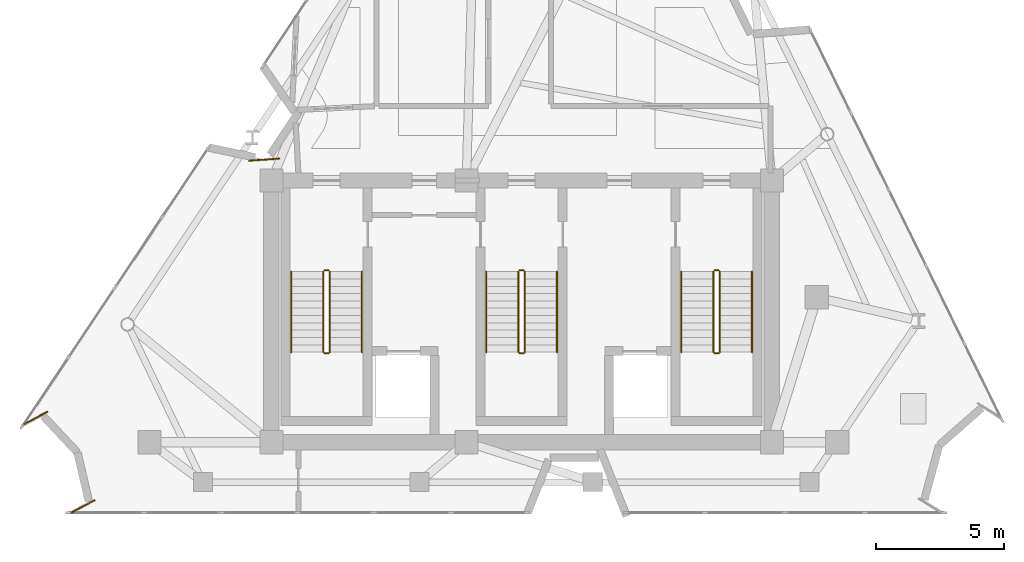
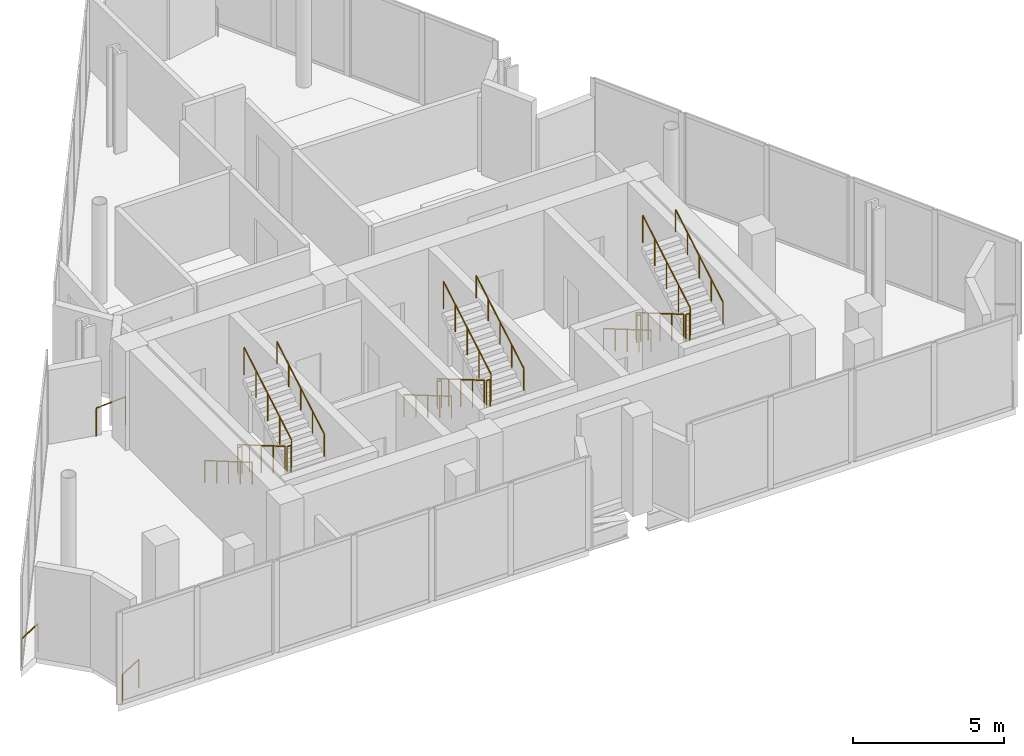
# One storey, part 8 of 9: 21 railings.
"""IFC4 building model written with IfcOpenShell, lengths in metres."""

from ifc_helpers import new_model, si_unit, direction, frame, origin, origin_2d, place, context, subcontext, project, spatial, circle, extrude, material, type_object, element, save


model = new_model("IFC4")

# Units and contexts
model_context = context("Model", 3, precision=1e-05, world=origin(), true_north=direction((0.0, 1.0)))
body_context = subcontext(model_context, "Body", "Model", "MODEL_VIEW")
ifc_project = project(units=[si_unit("LENGTHUNIT", "METRE"), si_unit("AREAUNIT", "SQUARE_METRE"), si_unit("VOLUMEUNIT", "CUBIC_METRE"), si_unit("PLANEANGLEUNIT", "RADIAN"), si_unit("MASSUNIT", "GRAM", prefix="KILO")], contexts=[model_context])

# Site, building, storey
site_placement = place(None, origin())
site = spatial("IfcSite", under=ifc_project, at=site_placement, CompositionType="ELEMENT")
building_placement = place(site_placement, origin())
building = spatial("IfcBuilding", under=site, at=building_placement, Name="Almagre Mirador Tower", CompositionType="ELEMENT")
storey_placement = place(building_placement, frame((0.0, 0.0, 302.5)))
storey = spatial("IfcBuildingStorey", under=building, at=storey_placement, Name="L78", CompositionType="ELEMENT", Elevation=302.5)

# Railings
ifc_material_1 = material(Name="Black anodized aluminium", Category="aluminium")
railing_type_1 = type_object("IfcRailingType", Name="RLG-BAL-1150", PredefinedType="BALUSTRADE", material=ifc_material_1)
railing_1_placement = place(storey_placement, frame((26.68310546875, 15.5244140625, 0.0)))
element("IfcRailing", 1, at=railing_1_placement, inside=storey, type_object=railing_type_1, Name="L78 perimeter edge balustrade 01", PredefinedType="BALUSTRADE", context=body_context, shape_type="SweptSolid", body=[
    extrude(circle(Radius=0.02392578125, at=origin_2d()), frame((0.0, 0.0, 1.1259765625), z_axis=(0.997570030923, 0.069670893519, 0.0), x_axis=(-0.069670893519, 0.997570030923, 0.0)), (0.0, 0.0, 1.0), 1.1669921875),
    extrude(circle(Radius=0.02099609375, at=origin_2d()), origin(), (0.0, 0.0, 1.0), 1.101806640625),
    extrude(circle(Radius=0.02099609375, at=origin_2d()), frame((1.1640625, 0.081298828125, 0.0)), (0.0, 0.0, 1.0), 1.101806640625),
])
railing_2_placement = place(storey_placement, frame((19.74951171875, 1.800537109375, 0.0)))
element("IfcRailing", 2, at=railing_2_placement, inside=storey, type_object=railing_type_1, Name="L78 perimeter edge balustrade 06", PredefinedType="BALUSTRADE", context=body_context, shape_type="SweptSolid", body=[
    extrude(circle(Radius=0.02392578125, at=origin_2d()), frame((0.0, 0.0, 1.1259765625), z_axis=(0.881494030228, 0.472195165871, 0.0), x_axis=(-0.472195165871, 0.881494030228, 0.0)), (0.0, 0.0, 1.0), 1.032470703125),
    extrude(circle(Radius=0.02099609375, at=origin_2d()), origin(), (0.0, 0.0, 1.0), 1.101806640625),
    extrude(circle(Radius=0.02099609375, at=origin_2d()), frame((0.91015625, 0.487548828125, 0.0)), (0.0, 0.0, 1.0), 1.101806640625),
])
railing_3_placement = place(storey_placement, frame((18.814697265625, 5.7373046875, 0.0)))
element("IfcRailing", 3, at=railing_3_placement, inside=storey, type_object=railing_type_1, Name="L78 perimeter edge balustrade 07", PredefinedType="BALUSTRADE", context=body_context, shape_type="SweptSolid", body=[
    extrude(circle(Radius=0.02392578125, at=origin_2d()), frame((0.0, 0.0, 1.1259765625), z_axis=(-0.881985926768, -0.471275741985, 0.0), x_axis=(0.471275741985, -0.881985926768, 0.0)), (0.0, 0.0, 1.0), 1.031982421875),
    extrude(circle(Radius=0.02099609375, at=origin_2d()), origin(), (0.0, 0.0, 1.0), 1.101806640625),
    extrude(circle(Radius=0.02099609375, at=origin_2d()), frame((-0.91015625, -0.486328125, 0.0)), (0.0, 0.0, 1.0), 1.101806640625),
])
ifc_material_2 = material(Name="Painted galvanized steel", Category="steel")
railing_type_2 = type_object("IfcRailingType", Name="RLG-GRD-1100", PredefinedType="GUARDRAIL", material=ifc_material_2)
railing_4_placement = place(storey_placement, frame((29.574951171875, 11.199951171875, 0.166748046875)))
element("IfcRailing", 4, at=railing_4_placement, inside=storey, type_object=railing_type_2, Name="L78 ST-1 stair guard 1", PredefinedType="GUARDRAIL", context=body_context, shape_type="SweptSolid", body=[
    extrude(circle(Radius=0.02392578125, at=origin_2d()), frame((0.0, 0.0, 1.09619140625), z_axis=(0.0, -0.863239559939, 0.504794475164), x_axis=(1.0, 0.0, 0.0)), (0.0, 0.0, 1.0), 3.631591796875),
    extrude(circle(Radius=0.02099609375, at=origin_2d()), origin(), (0.0, 0.0, 1.0), 1.072021484375),
    extrude(circle(Radius=0.02099609375, at=origin_2d()), frame((0.0, -0.78369140625, 0.458251953125)), (0.0, 0.0, 1.0), 1.072021484375),
    extrude(circle(Radius=0.02099609375, at=origin_2d()), frame((0.0, -1.5673828125, 0.91650390625)), (0.0, 0.0, 1.0), 1.072021484375),
    extrude(circle(Radius=0.02099609375, at=origin_2d()), frame((0.0, -2.351318359375, 1.375)), (0.0, 0.0, 1.0), 1.072021484375),
    extrude(circle(Radius=0.02099609375, at=origin_2d()), frame((0.0, -3.135009765625, 1.833251953125)), (0.0, 0.0, 1.0), 1.072021484375),
])
railing_5_placement = place(storey_placement, frame((29.625, 8.014892578125, 2.0)))
element("IfcRailing", 5, at=railing_5_placement, inside=storey, type_object=railing_type_2, Name="L78 ST-1 stair guard 2", PredefinedType="GUARDRAIL", context=body_context, shape_type="SweptSolid", body=[
    extrude(circle(Radius=0.02392578125, at=origin_2d()), frame((0.0, 0.0, 1.09619140625), z_axis=(1.0, 0.0, 0.0), x_axis=(0.0, 1.0, 0.0)), (0.0, 0.0, 1.0), 0.14990234375),
    extrude(circle(Radius=0.02099609375, at=origin_2d()), origin(), (0.0, 0.0, 1.0), 1.072021484375),
    extrude(circle(Radius=0.02099609375, at=origin_2d()), frame((0.14990234375, 0.0, 0.0)), (0.0, 0.0, 1.0), 1.072021484375),
])
railing_6_placement = place(storey_placement, frame((29.824951171875, 8.06494140625, 2.166748046875)))
element("IfcRailing", 6, at=railing_6_placement, inside=storey, type_object=railing_type_2, Name="L78 ST-1 stair guard 3", PredefinedType="GUARDRAIL", context=body_context, shape_type="SweptSolid", body=[
    extrude(circle(Radius=0.02392578125, at=origin_2d()), frame((0.0, 0.0, 1.09619140625), z_axis=(0.0, 0.863239559939, 0.504794475164), x_axis=(-1.0, 0.0, 0.0)), (0.0, 0.0, 1.0), 3.631591796875),
    extrude(circle(Radius=0.02099609375, at=origin_2d()), origin(), (0.0, 0.0, 1.0), 1.072021484375),
    extrude(circle(Radius=0.02099609375, at=origin_2d()), frame((0.0, 0.78369140625, 0.458251953125)), (0.0, 0.0, 1.0), 1.072021484375),
    extrude(circle(Radius=0.02099609375, at=origin_2d()), frame((0.0, 1.5673828125, 0.91650390625)), (0.0, 0.0, 1.0), 1.072021484375),
    extrude(circle(Radius=0.02099609375, at=origin_2d()), frame((0.0, 2.351318359375, 1.375)), (0.0, 0.0, 1.0), 1.072021484375),
    extrude(circle(Radius=0.02099609375, at=origin_2d()), frame((0.0, 3.135009765625, 1.833251953125)), (0.0, 0.0, 1.0), 1.072021484375),
])
railing_7_placement = place(storey_placement, frame((29.625, 11.25, 0.0)))
element("IfcRailing", 7, at=railing_7_placement, inside=storey, type_object=railing_type_2, Name="L78 ST-1 stair guard 4", PredefinedType="GUARDRAIL", context=body_context, shape_type="SweptSolid", body=[
    extrude(circle(Radius=0.02392578125, at=origin_2d()), frame((0.0, 0.0, 1.09619140625), z_axis=(1.0, 0.0, 0.0), x_axis=(0.0, 1.0, 0.0)), (0.0, 0.0, 1.0), 0.14990234375),
    extrude(circle(Radius=0.02099609375, at=origin_2d()), origin(), (0.0, 0.0, 1.0), 1.072021484375),
    extrude(circle(Radius=0.02099609375, at=origin_2d()), frame((0.14990234375, 0.0, 0.0)), (0.0, 0.0, 1.0), 1.072021484375),
])
railing_8_placement = place(storey_placement, frame((37.175048828125, 11.199951171875, 0.166748046875)))
element("IfcRailing", 8, at=railing_8_placement, inside=storey, type_object=railing_type_2, Name="L78 ST-2 stair guard 1", PredefinedType="GUARDRAIL", context=body_context, shape_type="SweptSolid", body=[
    extrude(circle(Radius=0.02392578125, at=origin_2d()), frame((0.0, 0.0, 1.09619140625), z_axis=(0.0, -0.863239559939, 0.504794475164), x_axis=(1.0, 0.0, 0.0)), (0.0, 0.0, 1.0), 3.631591796875),
    extrude(circle(Radius=0.02099609375, at=origin_2d()), origin(), (0.0, 0.0, 1.0), 1.072021484375),
    extrude(circle(Radius=0.02099609375, at=origin_2d()), frame((0.0, -0.78369140625, 0.458251953125)), (0.0, 0.0, 1.0), 1.072021484375),
    extrude(circle(Radius=0.02099609375, at=origin_2d()), frame((0.0, -1.5673828125, 0.91650390625)), (0.0, 0.0, 1.0), 1.072021484375),
    extrude(circle(Radius=0.02099609375, at=origin_2d()), frame((0.0, -2.351318359375, 1.375)), (0.0, 0.0, 1.0), 1.072021484375),
    extrude(circle(Radius=0.02099609375, at=origin_2d()), frame((0.0, -3.135009765625, 1.833251953125)), (0.0, 0.0, 1.0), 1.072021484375),
])
railing_9_placement = place(storey_placement, frame((37.22509765625, 8.014892578125, 2.0)))
element("IfcRailing", 9, at=railing_9_placement, inside=storey, type_object=railing_type_2, Name="L78 ST-2 stair guard 2", PredefinedType="GUARDRAIL", context=body_context, shape_type="SweptSolid", body=[
    extrude(circle(Radius=0.02392578125, at=origin_2d()), frame((0.0, 0.0, 1.09619140625), z_axis=(1.0, 0.0, 0.0), x_axis=(0.0, 1.0, 0.0)), (0.0, 0.0, 1.0), 0.14990234375),
    extrude(circle(Radius=0.02099609375, at=origin_2d()), origin(), (0.0, 0.0, 1.0), 1.072021484375),
    extrude(circle(Radius=0.02099609375, at=origin_2d()), frame((0.14990234375, 0.0, 0.0)), (0.0, 0.0, 1.0), 1.072021484375),
])
railing_10_placement = place(storey_placement, frame((37.425048828125, 8.06494140625, 2.166748046875)))
element("IfcRailing", 10, at=railing_10_placement, inside=storey, type_object=railing_type_2, Name="L78 ST-2 stair guard 3", PredefinedType="GUARDRAIL", context=body_context, shape_type="SweptSolid", body=[
    extrude(circle(Radius=0.02392578125, at=origin_2d()), frame((0.0, 0.0, 1.09619140625), z_axis=(0.0, 0.863239559939, 0.504794475164), x_axis=(-1.0, 0.0, 0.0)), (0.0, 0.0, 1.0), 3.631591796875),
    extrude(circle(Radius=0.02099609375, at=origin_2d()), origin(), (0.0, 0.0, 1.0), 1.072021484375),
    extrude(circle(Radius=0.02099609375, at=origin_2d()), frame((0.0, 0.78369140625, 0.458251953125)), (0.0, 0.0, 1.0), 1.072021484375),
    extrude(circle(Radius=0.02099609375, at=origin_2d()), frame((0.0, 1.5673828125, 0.91650390625)), (0.0, 0.0, 1.0), 1.072021484375),
    extrude(circle(Radius=0.02099609375, at=origin_2d()), frame((0.0, 2.351318359375, 1.375)), (0.0, 0.0, 1.0), 1.072021484375),
    extrude(circle(Radius=0.02099609375, at=origin_2d()), frame((0.0, 3.135009765625, 1.833251953125)), (0.0, 0.0, 1.0), 1.072021484375),
])
railing_11_placement = place(storey_placement, frame((37.22509765625, 11.25, 0.0)))
element("IfcRailing", 11, at=railing_11_placement, inside=storey, type_object=railing_type_2, Name="L78 ST-2 stair guard 4", PredefinedType="GUARDRAIL", context=body_context, shape_type="SweptSolid", body=[
    extrude(circle(Radius=0.02392578125, at=origin_2d()), frame((0.0, 0.0, 1.09619140625), z_axis=(1.0, 0.0, 0.0), x_axis=(0.0, 1.0, 0.0)), (0.0, 0.0, 1.0), 0.14990234375),
    extrude(circle(Radius=0.02099609375, at=origin_2d()), origin(), (0.0, 0.0, 1.0), 1.072021484375),
    extrude(circle(Radius=0.02099609375, at=origin_2d()), frame((0.14990234375, 0.0, 0.0)), (0.0, 0.0, 1.0), 1.072021484375),
])
railing_12_placement = place(storey_placement, frame((44.77490234375, 11.199951171875, 0.166748046875)))
element("IfcRailing", 12, at=railing_12_placement, inside=storey, type_object=railing_type_2, Name="L78 ST-3 stair guard 1", PredefinedType="GUARDRAIL", context=body_context, shape_type="SweptSolid", body=[
    extrude(circle(Radius=0.02392578125, at=origin_2d()), frame((0.0, 0.0, 1.09619140625), z_axis=(0.0, -0.863239559939, 0.504794475164), x_axis=(1.0, 0.0, 0.0)), (0.0, 0.0, 1.0), 3.631591796875),
    extrude(circle(Radius=0.02099609375, at=origin_2d()), origin(), (0.0, 0.0, 1.0), 1.072021484375),
    extrude(circle(Radius=0.02099609375, at=origin_2d()), frame((0.0, -0.78369140625, 0.458251953125)), (0.0, 0.0, 1.0), 1.072021484375),
    extrude(circle(Radius=0.02099609375, at=origin_2d()), frame((0.0, -1.5673828125, 0.91650390625)), (0.0, 0.0, 1.0), 1.072021484375),
    extrude(circle(Radius=0.02099609375, at=origin_2d()), frame((0.0, -2.351318359375, 1.375)), (0.0, 0.0, 1.0), 1.072021484375),
    extrude(circle(Radius=0.02099609375, at=origin_2d()), frame((0.0, -3.135009765625, 1.833251953125)), (0.0, 0.0, 1.0), 1.072021484375),
])
railing_13_placement = place(storey_placement, frame((44.824951171875, 8.014892578125, 2.0)))
element("IfcRailing", 13, at=railing_13_placement, inside=storey, type_object=railing_type_2, Name="L78 ST-3 stair guard 2", PredefinedType="GUARDRAIL", context=body_context, shape_type="SweptSolid", body=[
    extrude(circle(Radius=0.02392578125, at=origin_2d()), frame((0.0, 0.0, 1.09619140625), z_axis=(1.0, 0.0, 0.0), x_axis=(0.0, 1.0, 0.0)), (0.0, 0.0, 1.0), 0.150146484375),
    extrude(circle(Radius=0.02099609375, at=origin_2d()), origin(), (0.0, 0.0, 1.0), 1.072021484375),
    extrude(circle(Radius=0.02099609375, at=origin_2d()), frame((0.150146484375, 0.0, 0.0)), (0.0, 0.0, 1.0), 1.072021484375),
])
railing_14_placement = place(storey_placement, frame((45.02490234375, 8.06494140625, 2.166748046875)))
element("IfcRailing", 14, at=railing_14_placement, inside=storey, type_object=railing_type_2, Name="L78 ST-3 stair guard 3", PredefinedType="GUARDRAIL", context=body_context, shape_type="SweptSolid", body=[
    extrude(circle(Radius=0.02392578125, at=origin_2d()), frame((0.0, 0.0, 1.09619140625), z_axis=(0.0, 0.863239559939, 0.504794475164), x_axis=(-1.0, 0.0, 0.0)), (0.0, 0.0, 1.0), 3.631591796875),
    extrude(circle(Radius=0.02099609375, at=origin_2d()), origin(), (0.0, 0.0, 1.0), 1.072021484375),
    extrude(circle(Radius=0.02099609375, at=origin_2d()), frame((0.0, 0.78369140625, 0.458251953125)), (0.0, 0.0, 1.0), 1.072021484375),
    extrude(circle(Radius=0.02099609375, at=origin_2d()), frame((0.0, 1.5673828125, 0.91650390625)), (0.0, 0.0, 1.0), 1.072021484375),
    extrude(circle(Radius=0.02099609375, at=origin_2d()), frame((0.0, 2.351318359375, 1.375)), (0.0, 0.0, 1.0), 1.072021484375),
    extrude(circle(Radius=0.02099609375, at=origin_2d()), frame((0.0, 3.135009765625, 1.833251953125)), (0.0, 0.0, 1.0), 1.072021484375),
])
railing_15_placement = place(storey_placement, frame((44.824951171875, 11.25, 0.0)))
element("IfcRailing", 15, at=railing_15_placement, inside=storey, type_object=railing_type_2, Name="L78 ST-3 stair guard 4", PredefinedType="GUARDRAIL", context=body_context, shape_type="SweptSolid", body=[
    extrude(circle(Radius=0.02392578125, at=origin_2d()), frame((0.0, 0.0, 1.09619140625), z_axis=(1.0, 0.0, 0.0), x_axis=(0.0, 1.0, 0.0)), (0.0, 0.0, 1.0), 0.150146484375),
    extrude(circle(Radius=0.02099609375, at=origin_2d()), origin(), (0.0, 0.0, 1.0), 1.072021484375),
    extrude(circle(Radius=0.02099609375, at=origin_2d()), frame((0.150146484375, 0.0, 0.0)), (0.0, 0.0, 1.0), 1.072021484375),
])
ifc_material_3 = material(Name="Brushed stainless steel", Category="steel")
railing_type_3 = type_object("IfcRailingType", Name="RLG-HND-915", PredefinedType="HANDRAIL", material=ifc_material_3)
railing_16_placement = place(storey_placement, frame((28.324951171875, 11.199951171875, 0.166748046875)))
element("IfcRailing", 16, at=railing_16_placement, inside=storey, type_object=railing_type_3, Name="L78 ST-1 stair handrail 1", PredefinedType="HANDRAIL", context=body_context, shape_type="SweptSolid", body=[
    extrude(circle(Radius=0.02392578125, at=origin_2d()), frame((0.0, 0.0, 0.89111328125), z_axis=(0.0, -0.863239559939, 0.504794475164), x_axis=(1.0, 0.0, 0.0)), (0.0, 0.0, 1.0), 3.631591796875),
    extrude(circle(Radius=0.02099609375, at=origin_2d()), origin(), (0.0, 0.0, 1.0), 0.866943359375),
    extrude(circle(Radius=0.02099609375, at=origin_2d()), frame((0.0, -0.78369140625, 0.458251953125)), (0.0, 0.0, 1.0), 0.866943359375),
    extrude(circle(Radius=0.02099609375, at=origin_2d()), frame((0.0, -1.5673828125, 0.91650390625)), (0.0, 0.0, 1.0), 0.866943359375),
    extrude(circle(Radius=0.02099609375, at=origin_2d()), frame((0.0, -2.351318359375, 1.375)), (0.0, 0.0, 1.0), 0.866943359375),
    extrude(circle(Radius=0.02099609375, at=origin_2d()), frame((0.0, -3.135009765625, 1.833251953125)), (0.0, 0.0, 1.0), 0.866943359375),
])
railing_17_placement = place(storey_placement, frame((31.074951171875, 8.06494140625, 2.166748046875)))
element("IfcRailing", 17, at=railing_17_placement, inside=storey, type_object=railing_type_3, Name="L78 ST-1 stair handrail 2", PredefinedType="HANDRAIL", context=body_context, shape_type="SweptSolid", body=[
    extrude(circle(Radius=0.02392578125, at=origin_2d()), frame((0.0, 0.0, 0.89111328125), z_axis=(0.0, 0.863239559939, 0.504794475164), x_axis=(-1.0, 0.0, 0.0)), (0.0, 0.0, 1.0), 3.631591796875),
    extrude(circle(Radius=0.02099609375, at=origin_2d()), origin(), (0.0, 0.0, 1.0), 0.866943359375),
    extrude(circle(Radius=0.02099609375, at=origin_2d()), frame((0.0, 0.78369140625, 0.458251953125)), (0.0, 0.0, 1.0), 0.866943359375),
    extrude(circle(Radius=0.02099609375, at=origin_2d()), frame((0.0, 1.5673828125, 0.91650390625)), (0.0, 0.0, 1.0), 0.866943359375),
    extrude(circle(Radius=0.02099609375, at=origin_2d()), frame((0.0, 2.351318359375, 1.375)), (0.0, 0.0, 1.0), 0.866943359375),
    extrude(circle(Radius=0.02099609375, at=origin_2d()), frame((0.0, 3.135009765625, 1.833251953125)), (0.0, 0.0, 1.0), 0.866943359375),
])
railing_18_placement = place(storey_placement, frame((35.925048828125, 11.199951171875, 0.166748046875)))
element("IfcRailing", 18, at=railing_18_placement, inside=storey, type_object=railing_type_3, Name="L78 ST-2 stair handrail 1", PredefinedType="HANDRAIL", context=body_context, shape_type="SweptSolid", body=[
    extrude(circle(Radius=0.02392578125, at=origin_2d()), frame((0.0, 0.0, 0.89111328125), z_axis=(0.0, -0.863239559939, 0.504794475164), x_axis=(1.0, 0.0, 0.0)), (0.0, 0.0, 1.0), 3.631591796875),
    extrude(circle(Radius=0.02099609375, at=origin_2d()), origin(), (0.0, 0.0, 1.0), 0.866943359375),
    extrude(circle(Radius=0.02099609375, at=origin_2d()), frame((0.0, -0.78369140625, 0.458251953125)), (0.0, 0.0, 1.0), 0.866943359375),
    extrude(circle(Radius=0.02099609375, at=origin_2d()), frame((0.0, -1.5673828125, 0.91650390625)), (0.0, 0.0, 1.0), 0.866943359375),
    extrude(circle(Radius=0.02099609375, at=origin_2d()), frame((0.0, -2.351318359375, 1.375)), (0.0, 0.0, 1.0), 0.866943359375),
    extrude(circle(Radius=0.02099609375, at=origin_2d()), frame((0.0, -3.135009765625, 1.833251953125)), (0.0, 0.0, 1.0), 0.866943359375),
])
railing_19_placement = place(storey_placement, frame((38.675048828125, 8.06494140625, 2.166748046875)))
element("IfcRailing", 19, at=railing_19_placement, inside=storey, type_object=railing_type_3, Name="L78 ST-2 stair handrail 2", PredefinedType="HANDRAIL", context=body_context, shape_type="SweptSolid", body=[
    extrude(circle(Radius=0.02392578125, at=origin_2d()), frame((0.0, 0.0, 0.89111328125), z_axis=(0.0, 0.863239559939, 0.504794475164), x_axis=(-1.0, 0.0, 0.0)), (0.0, 0.0, 1.0), 3.631591796875),
    extrude(circle(Radius=0.02099609375, at=origin_2d()), origin(), (0.0, 0.0, 1.0), 0.866943359375),
    extrude(circle(Radius=0.02099609375, at=origin_2d()), frame((0.0, 0.78369140625, 0.458251953125)), (0.0, 0.0, 1.0), 0.866943359375),
    extrude(circle(Radius=0.02099609375, at=origin_2d()), frame((0.0, 1.5673828125, 0.91650390625)), (0.0, 0.0, 1.0), 0.866943359375),
    extrude(circle(Radius=0.02099609375, at=origin_2d()), frame((0.0, 2.351318359375, 1.375)), (0.0, 0.0, 1.0), 0.866943359375),
    extrude(circle(Radius=0.02099609375, at=origin_2d()), frame((0.0, 3.135009765625, 1.833251953125)), (0.0, 0.0, 1.0), 0.866943359375),
])
railing_20_placement = place(storey_placement, frame((43.52490234375, 11.199951171875, 0.166748046875)))
element("IfcRailing", 20, at=railing_20_placement, inside=storey, type_object=railing_type_3, Name="L78 ST-3 stair handrail 1", PredefinedType="HANDRAIL", context=body_context, shape_type="SweptSolid", body=[
    extrude(circle(Radius=0.02392578125, at=origin_2d()), frame((0.0, 0.0, 0.89111328125), z_axis=(0.0, -0.863239559939, 0.504794475164), x_axis=(1.0, 0.0, 0.0)), (0.0, 0.0, 1.0), 3.631591796875),
    extrude(circle(Radius=0.02099609375, at=origin_2d()), origin(), (0.0, 0.0, 1.0), 0.866943359375),
    extrude(circle(Radius=0.02099609375, at=origin_2d()), frame((0.0, -0.78369140625, 0.458251953125)), (0.0, 0.0, 1.0), 0.866943359375),
    extrude(circle(Radius=0.02099609375, at=origin_2d()), frame((0.0, -1.5673828125, 0.91650390625)), (0.0, 0.0, 1.0), 0.866943359375),
    extrude(circle(Radius=0.02099609375, at=origin_2d()), frame((0.0, -2.351318359375, 1.375)), (0.0, 0.0, 1.0), 0.866943359375),
    extrude(circle(Radius=0.02099609375, at=origin_2d()), frame((0.0, -3.135009765625, 1.833251953125)), (0.0, 0.0, 1.0), 0.866943359375),
])
railing_21_placement = place(storey_placement, frame((46.27490234375, 8.06494140625, 2.166748046875)))
element("IfcRailing", 21, at=railing_21_placement, inside=storey, type_object=railing_type_3, Name="L78 ST-3 stair handrail 2", PredefinedType="HANDRAIL", context=body_context, shape_type="SweptSolid", body=[
    extrude(circle(Radius=0.02392578125, at=origin_2d()), frame((0.0, 0.0, 0.89111328125), z_axis=(0.0, 0.863239559939, 0.504794475164), x_axis=(-1.0, 0.0, 0.0)), (0.0, 0.0, 1.0), 3.631591796875),
    extrude(circle(Radius=0.02099609375, at=origin_2d()), origin(), (0.0, 0.0, 1.0), 0.866943359375),
    extrude(circle(Radius=0.02099609375, at=origin_2d()), frame((0.0, 0.78369140625, 0.458251953125)), (0.0, 0.0, 1.0), 0.866943359375),
    extrude(circle(Radius=0.02099609375, at=origin_2d()), frame((0.0, 1.5673828125, 0.91650390625)), (0.0, 0.0, 1.0), 0.866943359375),
    extrude(circle(Radius=0.02099609375, at=origin_2d()), frame((0.0, 2.351318359375, 1.375)), (0.0, 0.0, 1.0), 0.866943359375),
    extrude(circle(Radius=0.02099609375, at=origin_2d()), frame((0.0, 3.135009765625, 1.833251953125)), (0.0, 0.0, 1.0), 0.866943359375),
])

save(model, "model.ifc")
